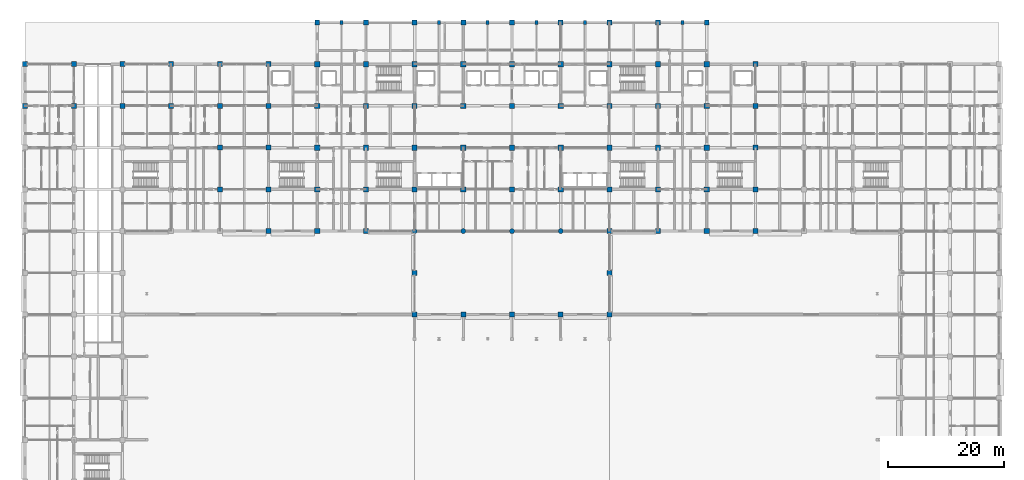
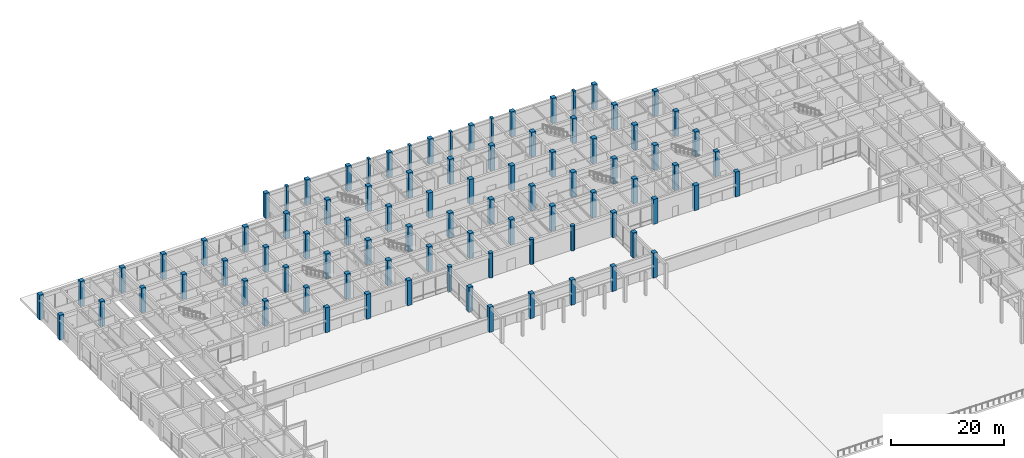
# One storey, part 4 of 73: 89 columns.
"""IFC4 building model written with IfcOpenShell, lengths in metres."""

from ifc_helpers import new_model, si_unit, direction, frame, origin, origin_2d, place, context, subcontext, project, spatial, rectangle, circle, extrude, material, material_profile, profile_set, type_object, element, save


model = new_model("IFC4")

# Units and contexts
model_context = context("Model", 3, precision=1e-05, world=origin(), true_north=direction((0.0, 1.0)))
body_context = subcontext(model_context, "Body", "Model", "MODEL_VIEW")
ifc_project = project(units=[si_unit("LENGTHUNIT", "METRE"), si_unit("AREAUNIT", "SQUARE_METRE"), si_unit("VOLUMEUNIT", "CUBIC_METRE"), si_unit("PLANEANGLEUNIT", "RADIAN"), si_unit("MASSUNIT", "GRAM", prefix="KILO")], contexts=[model_context])

# Site, building, storey
site_placement = place(None, origin())
site = spatial("IfcSite", under=ifc_project, at=site_placement, CompositionType="ELEMENT")
building_placement = place(site_placement, origin())
building = spatial("IfcBuilding", under=site, at=building_placement, Name="Chengyuan Square Courthouse", CompositionType="ELEMENT")
storey_placement = place(building_placement, origin())
storey = spatial("IfcBuildingStorey", under=building, at=storey_placement, Name="L01", CompositionType="ELEMENT", Elevation=0.0)

# Columns
ifc_material_1 = material(Name="Concrete C50", Category="concrete")
ifc_material_profile_1 = material_profile(ifc_material_1, rectangle(XDim=0.89990234375, YDim=0.89990234375, at=origin_2d()), Name="RC-COL-900x900")
ifc_profile_set_1 = profile_set([ifc_material_profile_1], Name="Concrete C50")
column_type_1 = type_object("IfcColumnType", Name="CL-02", PredefinedType="COLUMN", material=ifc_profile_set_1)
for number, where, z_axis, x_axis, name in (
    (1, (50.39990234375, 79.199951171875, 0.0), (0.0, 0.0, 1.0), (1.0, 0.0, 0.0), "Column CL-L01-064"),
    (2, (50.39990234375, 86.39990234375, 0.0), (0.0, 0.0, 1.0), (1.0, 0.0, 0.0), "Column CL-L01-065"),
    (3, (50.39990234375, 93.60009765625, 0.0), (0.0, 0.0, 1.0), (1.0, 0.0, 0.0), "Column CL-L01-066"),
    (4, (50.39990234375, 100.800048828125, 0.0), (0.0, 0.0, 1.0), (1.0, 0.0, 0.0), "Column CL-L01-067"),
    (5, (50.39990234375, 108.0, 0.0), (0.0, 0.0, 1.0), (1.0, 0.0, 0.0), "Column CL-L01-068"),
    (6, (58.800048828125, 79.199951171875, 0.0), (0.0, 0.0, 1.0), (1.0, 0.0, 0.0), "Column CL-L01-070"),
    (7, (58.800048828125, 86.39990234375, 0.0), (0.0, 0.0, 1.0), (1.0, 0.0, 0.0), "Column CL-L01-071"),
    (8, (58.800048828125, 93.60009765625, 0.0), (0.0, 0.0, 1.0), (1.0, 0.0, 0.0), "Column CL-L01-072"),
    (9, (58.800048828125, 100.800048828125, 0.0), (0.0, 0.0, 1.0), (1.0, 0.0, 0.0), "Column CL-L01-073"),
    (10, (58.800048828125, 108.0, 0.0), (0.0, 0.0, 1.0), (1.0, 0.0, 0.0), "Column CL-L01-074"),
    (11, (67.199951171875, 86.39990234375, 0.0), (0.0, 0.0, 1.0), (1.0, 0.0, 0.0), "Column CL-L01-079"),
    (12, (67.199951171875, 93.60009765625, 0.0), (0.0, 0.0, 1.0), (1.0, 0.0, 0.0), "Column CL-L01-080"),
    (13, (67.199951171875, 100.800048828125, 0.0), (0.0, 0.0, 1.0), (1.0, 0.0, 0.0), "Column CL-L01-081"),
    (14, (67.199951171875, 108.0, 0.0), (0.0, 0.0, 1.0), (1.0, 0.0, 0.0), "Column CL-L01-082"),
    (15, (75.60009765625, 86.39990234375, 0.0), (0.0, 0.0, 1.0), (1.0, 0.0, 0.0), "Column CL-L01-086"),
    (16, (75.60009765625, 93.60009765625, 0.0), (0.0, 0.0, 1.0), (1.0, 0.0, 0.0), "Column CL-L01-087"),
    (17, (75.60009765625, 100.800048828125, 0.0), (0.0, 0.0, 1.0), (1.0, 0.0, 0.0), "Column CL-L01-088"),
    (18, (75.60009765625, 108.0, 0.0), (0.0, 0.0, 1.0), (1.0, 0.0, 0.0), "Column CL-L01-089"),
    (19, (84.0, 86.39990234375, 0.0), (0.0, 0.0, 1.0), (1.0, 0.0, 0.0), "Column CL-L01-093"),
    (20, (84.0, 93.60009765625, 0.0), (0.0, 0.0, 1.0), (1.0, 0.0, 0.0), "Column CL-L01-094"),
    (21, (84.0, 100.800048828125, 0.0), (0.0, 0.0, 1.0), (1.0, 0.0, 0.0), "Column CL-L01-095"),
    (22, (84.0, 108.0, 0.0), (0.0, 0.0, 1.0), (1.0, 0.0, 0.0), "Column CL-L01-096"),
    (23, (92.39990234375, 86.39990234375, 0.0), (0.0, 0.0, 1.0), (1.0, 0.0, 0.0), "Column CL-L01-100"),
    (24, (92.39990234375, 93.60009765625, 0.0), (0.0, 0.0, 1.0), (1.0, 0.0, 0.0), "Column CL-L01-101"),
    (25, (92.39990234375, 100.800048828125, 0.0), (0.0, 0.0, 1.0), (1.0, 0.0, 0.0), "Column CL-L01-102"),
    (26, (92.39990234375, 108.0, 0.0), (0.0, 0.0, 1.0), (1.0, 0.0, 0.0), "Column CL-L01-103"),
    (27, (100.800048828125, 79.199951171875, 0.0), (0.0, 0.0, 1.0), (1.0, 0.0, 0.0), "Column CL-L01-107"),
    (28, (100.800048828125, 86.39990234375, 0.0), (0.0, 0.0, 1.0), (1.0, 0.0, 0.0), "Column CL-L01-108"),
    (29, (100.800048828125, 93.60009765625, 0.0), (0.0, 0.0, 1.0), (1.0, 0.0, 0.0), "Column CL-L01-109"),
    (30, (100.800048828125, 100.800048828125, 0.0), (0.0, 0.0, 1.0), (1.0, 0.0, 0.0), "Column CL-L01-110"),
    (31, (100.800048828125, 108.0, 0.0), (0.0, 0.0, 1.0), (1.0, 0.0, 0.0), "Column CL-L01-111"),
    (32, (109.199951171875, 79.199951171875, 0.0), (0.0, 0.0, 1.0), (1.0, 0.0, 0.0), "Column CL-L01-113"),
    (33, (109.199951171875, 86.39990234375, 0.0), (0.0, 0.0, 1.0), (1.0, 0.0, 0.0), "Column CL-L01-114"),
    (34, (109.199951171875, 93.60009765625, 0.0), (0.0, 0.0, 1.0), (1.0, 0.0, 0.0), "Column CL-L01-115"),
    (35, (109.199951171875, 100.800048828125, 0.0), (0.0, 0.0, 1.0), (1.0, 0.0, 0.0), "Column CL-L01-116"),
    (36, (109.199951171875, 108.0, 0.0), (0.0, 0.0, 1.0), (1.0, 0.0, 0.0), "Column CL-L01-117"),
    (37, (117.60009765625, 79.199951171875, 0.0), (0.0, 0.0, 1.0), (1.0, 0.0, 0.0), "Column CL-L01-119"),
    (38, (117.60009765625, 86.39990234375, 0.0), (0.0, 0.0, 1.0), (1.0, 0.0, 0.0), "Column CL-L01-120"),
    (39, (117.60009765625, 93.60009765625, 0.0), (0.0, 0.0, 1.0), (1.0, 0.0, 0.0), "Column CL-L01-121"),
    (40, (117.60009765625, 100.800048828125, 0.0), (0.0, 0.0, 1.0), (1.0, 0.0, 0.0), "Column CL-L01-122"),
    (41, (117.60009765625, 108.0, 0.0), (0.0, 0.0, 1.0), (1.0, 0.0, 0.0), "Column CL-L01-123"),
):
    element("IfcColumn", number, at=place(storey_placement, frame(where, z_axis=z_axis, x_axis=x_axis)), inside=storey, type_object=column_type_1, Name=name, PredefinedType="COLUMN", context=body_context, shape_type="SweptSolid", body=[
        extrude(rectangle(XDim=0.89990234375, YDim=0.89990234375, at=origin_2d()), origin(), (0.0, 0.0, 1.0), 5.39990234375),
    ])
ifc_material_profile_2 = material_profile(ifc_material_1, rectangle(XDim=0.85009765625, YDim=0.85009765625, at=origin_2d()), Name="RC-COL-850x850")
ifc_profile_set_2 = profile_set([ifc_material_profile_2], Name="Concrete C50")
column_type_2 = type_object("IfcColumnType", Name="CL-03", PredefinedType="COLUMN", material=ifc_profile_set_2)
for number, where, z_axis, x_axis, name in (
    (42, (0.0, 100.800048828125, 0.0), (0.0, 0.0, 1.0), (1.0, 0.0, 0.0), "Column CL-L01-015"),
    (43, (0.0, 108.0, 0.0), (0.0, 0.0, 1.0), (1.0, 0.0, 0.0), "Column CL-L01-016"),
    (44, (8.39990234375, 100.800048828125, 0.0), (0.0, 0.0, 1.0), (1.0, 0.0, 0.0), "Column CL-L01-031"),
    (45, (8.39990234375, 108.0, 0.0), (0.0, 0.0, 1.0), (1.0, 0.0, 0.0), "Column CL-L01-032"),
    (46, (16.800048828125, 100.800048828125, 0.0), (0.0, 0.0, 1.0), (1.0, 0.0, 0.0), "Column CL-L01-047"),
    (47, (16.800048828125, 108.0, 0.0), (0.0, 0.0, 1.0), (1.0, 0.0, 0.0), "Column CL-L01-048"),
    (48, (25.199951171875, 100.800048828125, 0.0), (0.0, 0.0, 1.0), (1.0, 0.0, 0.0), "Column CL-L01-052"),
    (49, (25.199951171875, 108.0, 0.0), (0.0, 0.0, 1.0), (1.0, 0.0, 0.0), "Column CL-L01-053"),
    (50, (33.60009765625, 86.39990234375, 0.0), (0.0, 0.0, 1.0), (1.0, 0.0, 0.0), "Column CL-L01-055"),
    (51, (33.60009765625, 93.60009765625, 0.0), (0.0, 0.0, 1.0), (1.0, 0.0, 0.0), "Column CL-L01-056"),
    (52, (33.60009765625, 100.800048828125, 0.0), (0.0, 0.0, 1.0), (1.0, 0.0, 0.0), "Column CL-L01-057"),
    (53, (33.60009765625, 108.0, 0.0), (0.0, 0.0, 1.0), (1.0, 0.0, 0.0), "Column CL-L01-058"),
    (54, (42.0, 79.199951171875, 0.0), (0.0, 0.0, 1.0), (1.0, 0.0, 0.0), "Column CL-L01-059"),
    (55, (42.0, 86.39990234375, 0.0), (0.0, 0.0, 1.0), (1.0, 0.0, 0.0), "Column CL-L01-060"),
    (56, (42.0, 93.60009765625, 0.0), (0.0, 0.0, 1.0), (1.0, 0.0, 0.0), "Column CL-L01-061"),
    (57, (42.0, 100.800048828125, 0.0), (0.0, 0.0, 1.0), (1.0, 0.0, 0.0), "Column CL-L01-062"),
    (58, (42.0, 108.0, 0.0), (0.0, 0.0, 1.0), (1.0, 0.0, 0.0), "Column CL-L01-063"),
    (59, (50.39990234375, 115.199951171875, 0.0), (0.0, 0.0, 1.0), (1.0, 0.0, 0.0), "Column CL-L01-069"),
    (60, (58.800048828125, 115.199951171875, 0.0), (0.0, 0.0, 1.0), (1.0, 0.0, 0.0), "Column CL-L01-075"),
    (61, (67.199951171875, 64.800048828125, 0.0), (0.0, 0.0, 1.0), (1.0, 0.0, 0.0), "Column CL-L01-076"),
    (62, (67.199951171875, 72.0, 0.0), (0.0, 0.0, 1.0), (1.0, 0.0, 0.0), "Column CL-L01-077"),
    (63, (67.199951171875, 115.199951171875, 0.0), (0.0, 0.0, 1.0), (1.0, 0.0, 0.0), "Column CL-L01-083"),
    (64, (75.60009765625, 64.800048828125, 0.0), (0.0, 0.0, 1.0), (1.0, 0.0, 0.0), "Column CL-L01-084"),
    (65, (75.60009765625, 115.199951171875, 0.0), (0.0, 0.0, 1.0), (1.0, 0.0, 0.0), "Column CL-L01-090"),
    (66, (84.0, 64.800048828125, 0.0), (0.0, 0.0, 1.0), (1.0, 0.0, 0.0), "Column CL-L01-091"),
    (67, (84.0, 115.199951171875, 0.0), (0.0, 0.0, 1.0), (1.0, 0.0, 0.0), "Column CL-L01-097"),
    (68, (92.39990234375, 64.800048828125, 0.0), (0.0, 0.0, 1.0), (1.0, 0.0, 0.0), "Column CL-L01-098"),
    (69, (92.39990234375, 115.199951171875, 0.0), (0.0, 0.0, 1.0), (1.0, 0.0, 0.0), "Column CL-L01-104"),
    (70, (100.800048828125, 64.800048828125, 0.0), (0.0, 0.0, 1.0), (1.0, 0.0, 0.0), "Column CL-L01-105"),
    (71, (100.800048828125, 72.0, 0.0), (0.0, 0.0, 1.0), (1.0, 0.0, 0.0), "Column CL-L01-106"),
    (72, (100.800048828125, 115.199951171875, 0.0), (0.0, 0.0, 1.0), (1.0, 0.0, 0.0), "Column CL-L01-112"),
    (73, (109.199951171875, 115.199951171875, 0.0), (0.0, 0.0, 1.0), (1.0, 0.0, 0.0), "Column CL-L01-118"),
    (74, (117.60009765625, 115.199951171875, 0.0), (0.0, 0.0, 1.0), (1.0, 0.0, 0.0), "Column CL-L01-124"),
    (75, (126.0, 79.199951171875, 0.0), (0.0, 0.0, 1.0), (1.0, 0.0, 0.0), "Column CL-L01-125"),
    (76, (126.0, 86.39990234375, 0.0), (0.0, 0.0, 1.0), (1.0, 0.0, 0.0), "Column CL-L01-126"),
    (77, (126.0, 93.60009765625, 0.0), (0.0, 0.0, 1.0), (1.0, 0.0, 0.0), "Column CL-L01-127"),
    (78, (126.0, 100.800048828125, 0.0), (0.0, 0.0, 1.0), (1.0, 0.0, 0.0), "Column CL-L01-128"),
    (79, (126.0, 108.0, 0.0), (0.0, 0.0, 1.0), (1.0, 0.0, 0.0), "Column CL-L01-129"),
):
    element("IfcColumn", number, at=place(storey_placement, frame(where, z_axis=z_axis, x_axis=x_axis)), inside=storey, type_object=column_type_2, Name=name, PredefinedType="COLUMN", context=body_context, shape_type="SweptSolid", body=[
        extrude(rectangle(XDim=0.85009765625, YDim=0.85009765625, at=origin_2d()), origin(), (0.0, 0.0, 1.0), 5.39990234375),
    ])
ifc_material_profile_3 = material_profile(ifc_material_1, circle(Radius=0.425048828125, at=origin_2d()), Name="RC-COL-D850")
ifc_profile_set_3 = profile_set([ifc_material_profile_3], Name="Concrete C50")
column_type_3 = type_object("IfcColumnType", Name="CL-08", PredefinedType="COLUMN", material=ifc_profile_set_3)
for number, where, z_axis, x_axis, name in (
    (80, (67.199951171875, 79.199951171875, 0.0), (0.0, 0.0, 1.0), (1.0, 0.0, 0.0), "Column CL-L01-078"),
    (81, (75.60009765625, 79.199951171875, 0.0), (0.0, 0.0, 1.0), (1.0, 0.0, 0.0), "Column CL-L01-085"),
    (82, (84.0, 79.199951171875, 0.0), (0.0, 0.0, 1.0), (1.0, 0.0, 0.0), "Column CL-L01-092"),
    (83, (92.39990234375, 79.199951171875, 0.0), (0.0, 0.0, 1.0), (1.0, 0.0, 0.0), "Column CL-L01-099"),
):
    element("IfcColumn", number, at=place(storey_placement, frame(where, z_axis=z_axis, x_axis=x_axis)), inside=storey, type_object=column_type_3, Name=name, PredefinedType="COLUMN", context=body_context, shape_type="SweptSolid", body=[
        extrude(circle(Radius=0.425048828125, at=origin_2d()), origin(), (0.0, 0.0, 1.0), 5.39990234375),
    ])
ifc_material_2 = material(Name="Concrete C40", Category="concrete")
ifc_material_profile_4 = material_profile(ifc_material_2, rectangle(XDim=0.5, YDim=0.64990234375, at=origin_2d()), Name="RC-PIL-500x650")
ifc_profile_set_4 = profile_set([ifc_material_profile_4], Name="Concrete C40")
column_type_4 = type_object("IfcColumnType", Name="CL-09", PredefinedType="PILASTER", material=ifc_profile_set_4)
for number, where, z_axis, x_axis, name in (
    (84, (54.60009765625, 115.199951171875, 0.0), (0.0, 0.0, 1.0), (1.0, 0.0, 0.0), "Engaged Pilaster PLST-L01-188"),
    (85, (71.39990234375, 115.199951171875, 0.0), (0.0, 0.0, 1.0), (1.0, 0.0, 0.0), "Engaged Pilaster PLST-L01-189"),
    (86, (79.800048828125, 115.199951171875, 0.0), (0.0, 0.0, 1.0), (1.0, 0.0, 0.0), "Engaged Pilaster PLST-L01-190"),
    (87, (88.199951171875, 115.199951171875, 0.0), (0.0, 0.0, 1.0), (1.0, 0.0, 0.0), "Engaged Pilaster PLST-L01-191"),
    (88, (96.60009765625, 115.199951171875, 0.0), (0.0, 0.0, 1.0), (1.0, 0.0, 0.0), "Engaged Pilaster PLST-L01-192"),
    (89, (113.39990234375, 115.199951171875, 0.0), (0.0, 0.0, 1.0), (1.0, 0.0, 0.0), "Engaged Pilaster PLST-L01-193"),
):
    element("IfcColumn", number, at=place(storey_placement, frame(where, z_axis=z_axis, x_axis=x_axis)), inside=storey, type_object=column_type_4, Name=name, PredefinedType="PILASTER", context=body_context, shape_type="SweptSolid", body=[
        extrude(rectangle(XDim=0.5, YDim=0.64990234375, at=origin_2d()), origin(), (0.0, 0.0, 1.0), 5.39990234375),
    ])

save(model, "model.ifc")
